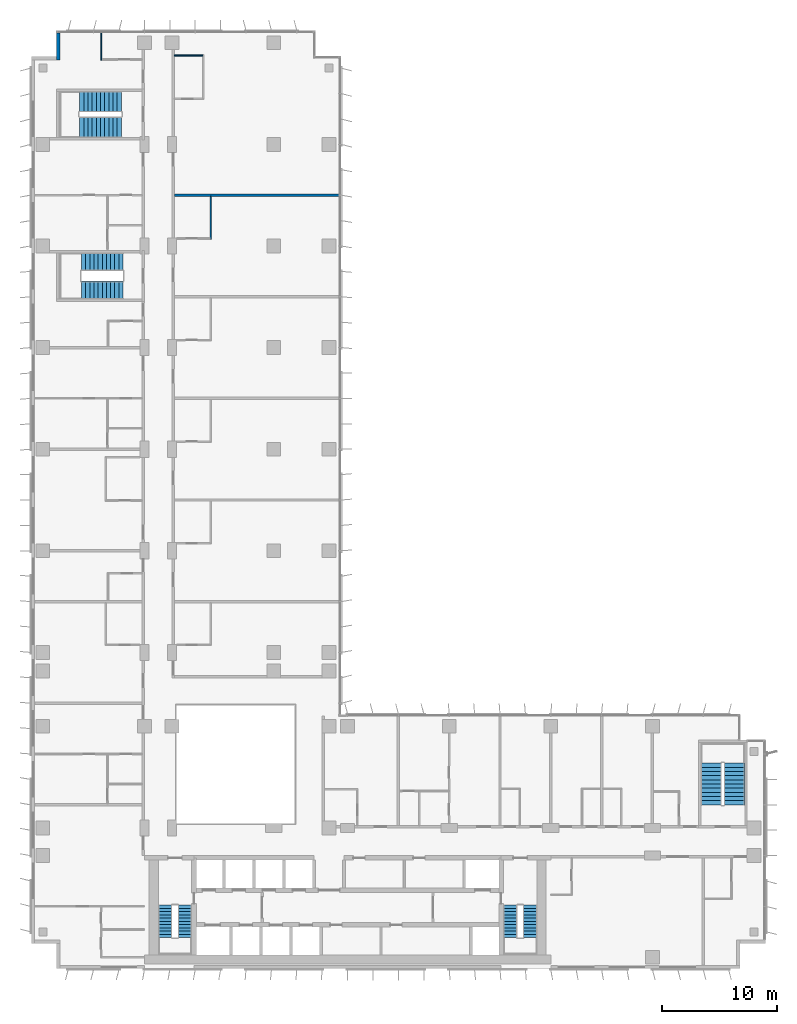
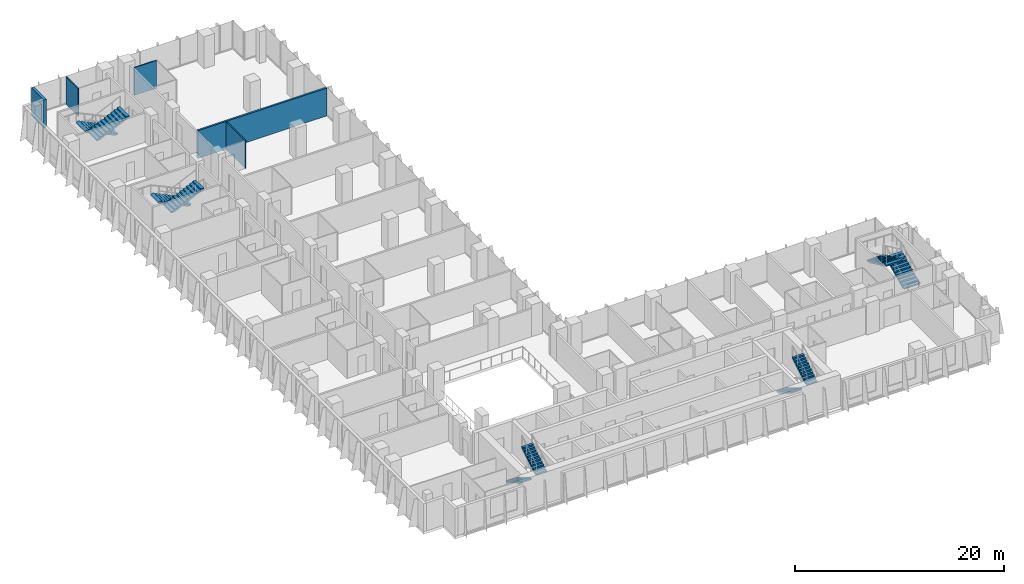
# One storey, part 18 of 22: 10 stair flights, 5 walls, 5 elements without a shape of their own.
"""IFC4 building model written with IfcOpenShell, lengths in metres."""

from ifc_helpers import new_model, si_unit, direction, frame, frame_2d, origin, place, context, subcontext, project, spatial, polyline, rectangle, outline, extrude, material, layer, layer_set, type_object, element, aggregate, save


model = new_model("IFC4")

# Units and contexts
model_context = context("Model", 3, precision=1e-05, world=origin(), true_north=direction((0.0, 1.0)))
body_context = subcontext(model_context, "Body", "Model", "MODEL_VIEW")
ifc_project = project(units=[si_unit("LENGTHUNIT", "METRE"), si_unit("AREAUNIT", "SQUARE_METRE"), si_unit("VOLUMEUNIT", "CUBIC_METRE"), si_unit("PLANEANGLEUNIT", "RADIAN"), si_unit("MASSUNIT", "GRAM", prefix="KILO")], contexts=[model_context])

# Site, building, storey
site_placement = place(None, origin())
site = spatial("IfcSite", under=ifc_project, at=site_placement, CompositionType="ELEMENT")
building_placement = place(site_placement, origin())
building = spatial("IfcBuilding", under=site, at=building_placement, Name="Kemantara Hotel Tower", CompositionType="ELEMENT")
storey_placement = place(building_placement, frame((0.0, 0.0, 149.39990234375)))
storey = spatial("IfcBuildingStorey", under=building, at=storey_placement, Name="L36", CompositionType="ELEMENT", Elevation=149.39990234375)

# Walls
ifc_material_1 = material(Name="Bronze anodised aluminium cladding on insulated steel stud wall", Category="steel")
ifc_layer_1 = layer(ifc_material_1, 0.300048828125)
ifc_layer_set_1 = layer_set([ifc_layer_1], Name="Bronze anodised aluminium cladding on insulated steel stud wall")
wall_type_1 = type_object("IfcWallType", Name="BRONZE METAL-CLAD EXTERNAL WALL 300", PredefinedType="STANDARD", material=ifc_layer_set_1)
wall_1_placement = place(storey_placement, frame((2.35009765625, 81.050048828125, 0.0), z_axis=(0.0, 0.0, 1.0), x_axis=(0.0, -1.0, 0.0)))
element("IfcWall", 1, at=wall_1_placement, inside=storey, type_object=wall_type_1, Name="EXTERNAL WALL L36 T2-R02", PredefinedType="STANDARD", context=body_context, shape_type="SweptSolid", body=[
    extrude(rectangle(XDim=2.35009765625, YDim=0.300048828125, at=frame_2d((1.175048828125, 0.0))), origin(), (0.0, 0.0, 1.0), 3.25),
])
ifc_material_2 = material(Name="Gypsum board partition, steel studs and mineral wool, 200 mm", Category="steel")
ifc_layer_2 = layer(ifc_material_2, 0.199951171875)
ifc_layer_set_2 = layer_set([ifc_layer_2], Name="Gypsum board partition, steel studs and mineral wool, 200 mm")
wall_type_2 = type_object("IfcWallType", Name="GUEST ROOM PARTY WALL 200", PredefinedType="PARTITIONING", material=ifc_layer_set_2)
wall_2_placement = place(storey_placement, frame((12.39990234375, 67.0, 0.0), z_axis=(0.0, 0.0, 1.0), x_axis=(1.0, 0.0, 0.0)))
element("IfcWall", 2, at=wall_2_placement, inside=storey, type_object=wall_type_2, Name="GUEST ROOM PARTY WALL 200 044", PredefinedType="PARTITIONING", context=body_context, shape_type="SweptSolid", body=[
    extrude(rectangle(XDim=14.27001953125, YDim=0.199951171875, at=frame_2d((7.135009765625, 0.0))), origin(), (0.0, 0.0, 1.0), 3.25),
])
ifc_material_3 = material(Name="Gypsum board partition on steel studs, 100 mm", Category="steel")
ifc_layer_3 = layer(ifc_material_3, 0.10009765625)
ifc_layer_set_3 = layer_set([ifc_layer_3], Name="Gypsum board partition on steel studs, 100 mm")
wall_type_3 = type_object("IfcWallType", Name="ROOM PARTITION 100", PredefinedType="PARTITIONING", material=ifc_layer_set_3)
wall_3_placement = place(storey_placement, frame((6.050048828125, 78.699951171875, 0.0), z_axis=(0.0, 0.0, 1.0), x_axis=(0.0, 1.0, 0.0)))
element("IfcWall", 3, at=wall_3_placement, inside=storey, type_object=wall_type_3, Name="ROOM PARTITION 100 063", PredefinedType="PARTITIONING", context=body_context, shape_type="SweptSolid", body=[
    extrude(rectangle(XDim=2.3701171875, YDim=0.10009765625, at=frame_2d((1.18505859375, 0.0))), origin(), (0.0, 0.0, 1.0), 3.25),
])
wall_4_placement = place(storey_placement, frame((15.550048828125, 63.199951171875, 0.0), z_axis=(0.0, 0.0, 1.0), x_axis=(0.0, 1.0, 0.0)))
element("IfcWall", 4, at=wall_4_placement, inside=storey, type_object=wall_type_3, Name="ROOM PARTITION 100 091", PredefinedType="PARTITIONING", context=body_context, shape_type="SweptSolid", body=[
    extrude(rectangle(XDim=3.699951171875, YDim=0.10009765625, at=frame_2d((1.85009765625, 0.0))), origin(), (0.0, 0.0, 1.0), 3.25),
])
wall_5_placement = place(storey_placement, frame((12.39990234375, 79.10009765625, 0.0), z_axis=(0.0, 0.0, 1.0), x_axis=(1.0, 0.0, 0.0)))
element("IfcWall", 5, at=wall_5_placement, inside=storey, type_object=wall_type_3, Name="ROOM PARTITION 100 098", PredefinedType="PARTITIONING", context=body_context, shape_type="SweptSolid", body=[
    extrude(rectangle(XDim=2.4501953125, YDim=0.10009765625, at=frame_2d((1.22509765625, 0.0))), origin(), (0.0, 0.0, 1.0), 3.25),
])

# Stair, stair flights
ifc_material_4 = material(Name="Concrete fc 40 MPa", Category="concrete")
stair_type_1 = type_object("IfcStairType", Name="Stair 1200 wide 22 risers of 168 x 280 mm", PredefinedType="HALF_TURN_STAIR", material=ifc_material_4)
stair_1_placement = place(storey_placement, origin())
stair_1 = element("IfcStair", 6, at=stair_1_placement, inside=storey, type_object=stair_type_1, Name="L36 Exit stair ST1", PredefinedType="HALF_TURN_STAIR")
stair_flight_type_1 = type_object("IfcStairFlightType", Name="Stair flight 1200 wide 168 x 280 mm", PredefinedType="STRAIGHT", material=ifc_material_4)
stair_flight_1_placement = place(storey_placement, frame((11.60009765625, 5.5, 0.0), z_axis=(0.0, 0.0, 1.0), x_axis=(0.0, -1.0, 0.0)))
stair_flight_1 = element("IfcStairFlight", 7, at=stair_flight_1_placement, type_object=stair_flight_type_1, Name="ST1 flight 1", NumberOfRisers=11, NumberOfTreads=10, PredefinedType="STRAIGHT", RiserHeight=0.168181818, TreadLength=0.28, context=body_context, shape_type="SweptSolid", body=[
    extrude(outline(polyline([(0.0, 0.0), (0.0, 0.168212890625), (0.280029296875, 0.168212890625), (0.280029296875, 0.33642578125), (0.56005859375, 0.33642578125), (0.56005859375, 0.504638671875), (0.840087890625, 0.504638671875), (0.840087890625, 0.672607421875), (1.1201171875, 0.672607421875), (1.1201171875, 0.8408203125), (1.39990234375, 0.8408203125), (1.39990234375, 1.009033203125), (1.679931640625, 1.009033203125), (1.679931640625, 1.17724609375), (1.9599609375, 1.17724609375), (1.9599609375, 1.345458984375), (2.239990234375, 1.345458984375), (2.239990234375, 1.513671875), (2.52001953125, 1.513671875), (2.52001953125, 1.681884765625), (2.800048828125, 1.681884765625), (2.800048828125, 1.85009765625), (2.800048828125, 1.5068359375), (0.291015625, 0.0), (0.0, 0.0)])), frame((0.0, 0.60009765625, 0.0), z_axis=(0.0, -1.0, 0.0), x_axis=(1.0, 0.0, 0.0)), (0.0, 0.0, 1.0), 1.199951171875),
])
stair_flight_2_placement = place(storey_placement, frame((13.300048828125, 2.699951171875, 1.85009765625), z_axis=(0.0, 0.0, 1.0), x_axis=(0.0, 1.0, 0.0)))
stair_flight_2 = element("IfcStairFlight", 8, at=stair_flight_2_placement, type_object=stair_flight_type_1, Name="ST1 flight 2", NumberOfRisers=11, NumberOfTreads=10, PredefinedType="STRAIGHT", RiserHeight=0.168181818, TreadLength=0.28, context=body_context, shape_type="SweptSolid", body=[
    extrude(outline(polyline([(0.0, 0.0), (0.0, 0.168212890625), (0.280029296875, 0.168212890625), (0.280029296875, 0.33642578125), (0.56005859375, 0.33642578125), (0.56005859375, 0.504638671875), (0.840087890625, 0.504638671875), (0.840087890625, 0.672607421875), (1.1201171875, 0.672607421875), (1.1201171875, 0.8408203125), (1.39990234375, 0.8408203125), (1.39990234375, 1.009033203125), (1.679931640625, 1.009033203125), (1.679931640625, 1.17724609375), (1.9599609375, 1.17724609375), (1.9599609375, 1.345458984375), (2.239990234375, 1.345458984375), (2.239990234375, 1.513671875), (2.52001953125, 1.513671875), (2.52001953125, 1.681884765625), (2.800048828125, 1.681884765625), (2.800048828125, 1.85009765625), (2.800048828125, 1.5068359375), (0.291015625, 0.0), (0.0, 0.0)])), frame((0.0, 0.60009765625, 0.0), z_axis=(0.0, -1.0, 0.0), x_axis=(1.0, 0.0, 0.0)), (0.0, 0.0, 1.0), 1.199951171875),
])
aggregate(stair_1, [stair_flight_1, stair_flight_2])

stair_2_placement = place(storey_placement, origin())
stair_2 = element("IfcStair", 9, at=stair_2_placement, inside=storey, type_object=stair_type_1, Name="L36 Exit stair ST2", PredefinedType="HALF_TURN_STAIR")
stair_flight_3_placement = place(storey_placement, frame((41.5, 5.5, 0.0), z_axis=(0.0, 0.0, 1.0), x_axis=(0.0, -1.0, 0.0)))
stair_flight_3 = element("IfcStairFlight", 10, at=stair_flight_3_placement, type_object=stair_flight_type_1, Name="ST2 flight 1", NumberOfRisers=11, NumberOfTreads=10, PredefinedType="STRAIGHT", RiserHeight=0.168181818, TreadLength=0.28, context=body_context, shape_type="SweptSolid", body=[
    extrude(outline(polyline([(0.0, 0.0), (0.0, 0.168212890625), (0.280029296875, 0.168212890625), (0.280029296875, 0.33642578125), (0.56005859375, 0.33642578125), (0.56005859375, 0.504638671875), (0.840087890625, 0.504638671875), (0.840087890625, 0.672607421875), (1.1201171875, 0.672607421875), (1.1201171875, 0.8408203125), (1.39990234375, 0.8408203125), (1.39990234375, 1.009033203125), (1.679931640625, 1.009033203125), (1.679931640625, 1.17724609375), (1.9599609375, 1.17724609375), (1.9599609375, 1.345458984375), (2.239990234375, 1.345458984375), (2.239990234375, 1.513671875), (2.52001953125, 1.513671875), (2.52001953125, 1.681884765625), (2.800048828125, 1.681884765625), (2.800048828125, 1.85009765625), (2.800048828125, 1.5068359375), (0.291015625, 0.0), (0.0, 0.0)])), frame((0.0, 0.60009765625, 0.0), z_axis=(0.0, -1.0, 0.0), x_axis=(1.0, 0.0, 0.0)), (0.0, 0.0, 1.0), 1.199951171875),
])
stair_flight_4_placement = place(storey_placement, frame((43.199951171875, 2.699951171875, 1.85009765625), z_axis=(0.0, 0.0, 1.0), x_axis=(0.0, 1.0, 0.0)))
stair_flight_4 = element("IfcStairFlight", 11, at=stair_flight_4_placement, type_object=stair_flight_type_1, Name="ST2 flight 2", NumberOfRisers=11, NumberOfTreads=10, PredefinedType="STRAIGHT", RiserHeight=0.168181818, TreadLength=0.28, context=body_context, shape_type="SweptSolid", body=[
    extrude(outline(polyline([(0.0, 0.0), (0.0, 0.168212890625), (0.280029296875, 0.168212890625), (0.280029296875, 0.33642578125), (0.56005859375, 0.33642578125), (0.56005859375, 0.504638671875), (0.840087890625, 0.504638671875), (0.840087890625, 0.672607421875), (1.1201171875, 0.672607421875), (1.1201171875, 0.8408203125), (1.39990234375, 0.8408203125), (1.39990234375, 1.009033203125), (1.679931640625, 1.009033203125), (1.679931640625, 1.17724609375), (1.9599609375, 1.17724609375), (1.9599609375, 1.345458984375), (2.239990234375, 1.345458984375), (2.239990234375, 1.513671875), (2.52001953125, 1.513671875), (2.52001953125, 1.681884765625), (2.800048828125, 1.681884765625), (2.800048828125, 1.85009765625), (2.800048828125, 1.5068359375), (0.291015625, 0.0), (0.0, 0.0)])), frame((0.0, 0.60009765625, 0.0), z_axis=(0.0, -1.0, 0.0), x_axis=(1.0, 0.0, 0.0)), (0.0, 0.0, 1.0), 1.199951171875),
])
aggregate(stair_2, [stair_flight_3, stair_flight_4])

stair_type_2 = type_object("IfcStairType", Name="Stair 1550 wide 22 risers of 168 x 360 mm", PredefinedType="HALF_TURN_STAIR", material=ifc_material_4)
stair_3_placement = place(storey_placement, origin())
stair_3 = element("IfcStair", 12, at=stair_3_placement, inside=storey, type_object=stair_type_2, Name="L36 Exit stair ST4", PredefinedType="HALF_TURN_STAIR")
stair_flight_type_2 = type_object("IfcStairFlightType", Name="Stair flight 1550 wide 168 x 360 mm", PredefinedType="STRAIGHT", material=ifc_material_4)
stair_flight_5_placement = place(storey_placement, frame((7.949951171875, 61.22509765625, 0.0), z_axis=(0.0, 0.0, 1.0), x_axis=(-1.0, 0.0, 0.0)))
stair_flight_5 = element("IfcStairFlight", 13, at=stair_flight_5_placement, type_object=stair_flight_type_2, Name="ST4 flight 1", NumberOfRisers=11, NumberOfTreads=10, PredefinedType="STRAIGHT", RiserHeight=0.168181818, TreadLength=0.36, context=body_context, shape_type="SweptSolid", body=[
    extrude(outline(polyline([(0.0, 0.0), (0.0, 0.168212890625), (0.360107421875, 0.168212890625), (0.360107421875, 0.33642578125), (0.719970703125, 0.33642578125), (0.719970703125, 0.504638671875), (1.080078125, 0.504638671875), (1.080078125, 0.672607421875), (1.43994140625, 0.672607421875), (1.43994140625, 0.8408203125), (1.800048828125, 0.8408203125), (1.800048828125, 1.009033203125), (2.159912109375, 1.009033203125), (2.159912109375, 1.17724609375), (2.52001953125, 1.17724609375), (2.52001953125, 1.345458984375), (2.8798828125, 1.345458984375), (2.8798828125, 1.513671875), (3.239990234375, 1.513671875), (3.239990234375, 1.681884765625), (3.60009765625, 1.681884765625), (3.60009765625, 1.85009765625), (3.60009765625, 1.516357421875), (0.354248046875, 0.0), (0.0, 0.0)])), frame((0.0, 0.77490234375, 0.0), z_axis=(0.0, -1.0, 0.0), x_axis=(1.0, 0.0, 0.0)), (0.0, 0.0, 1.0), 1.550048828125),
])
stair_flight_6_placement = place(storey_placement, frame((4.35009765625, 58.77490234375, 1.85009765625), z_axis=(0.0, 0.0, 1.0), x_axis=(1.0, 0.0, 0.0)))
stair_flight_6 = element("IfcStairFlight", 14, at=stair_flight_6_placement, type_object=stair_flight_type_2, Name="ST4 flight 2", NumberOfRisers=11, NumberOfTreads=10, PredefinedType="STRAIGHT", RiserHeight=0.168181818, TreadLength=0.36, context=body_context, shape_type="SweptSolid", body=[
    extrude(outline(polyline([(0.0, 0.0), (0.0, 0.168212890625), (0.360107421875, 0.168212890625), (0.360107421875, 0.33642578125), (0.719970703125, 0.33642578125), (0.719970703125, 0.504638671875), (1.080078125, 0.504638671875), (1.080078125, 0.672607421875), (1.43994140625, 0.672607421875), (1.43994140625, 0.8408203125), (1.800048828125, 0.8408203125), (1.800048828125, 1.009033203125), (2.159912109375, 1.009033203125), (2.159912109375, 1.17724609375), (2.52001953125, 1.17724609375), (2.52001953125, 1.345458984375), (2.8798828125, 1.345458984375), (2.8798828125, 1.513671875), (3.239990234375, 1.513671875), (3.239990234375, 1.681884765625), (3.60009765625, 1.681884765625), (3.60009765625, 1.85009765625), (3.60009765625, 1.516357421875), (0.354248046875, 0.0), (0.0, 0.0)])), frame((0.0, 0.77490234375, 0.0), z_axis=(0.0, -1.0, 0.0), x_axis=(1.0, 0.0, 0.0)), (0.0, 0.0, 1.0), 1.550048828125),
])
aggregate(stair_3, [stair_flight_5, stair_flight_6])

stair_type_3 = type_object("IfcStairType", Name="Stair 1800 wide 22 risers of 168 x 360 mm", PredefinedType="HALF_TURN_STAIR", material=ifc_material_4)
stair_4_placement = place(storey_placement, origin())
stair_4 = element("IfcStair", 15, at=stair_4_placement, inside=storey, type_object=stair_type_3, Name="L36 Exit stair ST3", PredefinedType="HALF_TURN_STAIR")
stair_flight_type_3 = type_object("IfcStairFlightType", Name="Stair flight 1800 wide 168 x 360 mm", PredefinedType="STRAIGHT", material=ifc_material_4)
stair_flight_7_placement = place(storey_placement, frame((60.89990234375, 14.199951171875, 0.0), z_axis=(0.0, 0.0, 1.0), x_axis=(0.0, 1.0, 0.0)))
stair_flight_7 = element("IfcStairFlight", 16, at=stair_flight_7_placement, type_object=stair_flight_type_3, Name="ST3 flight 1", NumberOfRisers=11, NumberOfTreads=10, PredefinedType="STRAIGHT", RiserHeight=0.168181818, TreadLength=0.36, context=body_context, shape_type="SweptSolid", body=[
    extrude(outline(polyline([(0.0, 0.0), (0.0, 0.168212890625), (0.360107421875, 0.168212890625), (0.360107421875, 0.33642578125), (0.719970703125, 0.33642578125), (0.719970703125, 0.504638671875), (1.080078125, 0.504638671875), (1.080078125, 0.672607421875), (1.43994140625, 0.672607421875), (1.43994140625, 0.8408203125), (1.800048828125, 0.8408203125), (1.800048828125, 1.009033203125), (2.159912109375, 1.009033203125), (2.159912109375, 1.17724609375), (2.52001953125, 1.17724609375), (2.52001953125, 1.345458984375), (2.8798828125, 1.345458984375), (2.8798828125, 1.513671875), (3.239990234375, 1.513671875), (3.239990234375, 1.681884765625), (3.60009765625, 1.681884765625), (3.60009765625, 1.85009765625), (3.60009765625, 1.516357421875), (0.354248046875, 0.0), (0.0, 0.0)])), frame((0.0, 0.89990234375, 0.0), z_axis=(0.0, -1.0, 0.0), x_axis=(1.0, 0.0, 0.0)), (0.0, 0.0, 1.0), 1.800048828125),
])
stair_flight_8_placement = place(storey_placement, frame((58.89990234375, 17.800048828125, 1.85009765625), z_axis=(0.0, 0.0, 1.0), x_axis=(0.0, -1.0, 0.0)))
stair_flight_8 = element("IfcStairFlight", 17, at=stair_flight_8_placement, type_object=stair_flight_type_3, Name="ST3 flight 2", NumberOfRisers=11, NumberOfTreads=10, PredefinedType="STRAIGHT", RiserHeight=0.168181818, TreadLength=0.36, context=body_context, shape_type="SweptSolid", body=[
    extrude(outline(polyline([(0.0, 0.0), (0.0, 0.168212890625), (0.360107421875, 0.168212890625), (0.360107421875, 0.33642578125), (0.719970703125, 0.33642578125), (0.719970703125, 0.504638671875), (1.080078125, 0.504638671875), (1.080078125, 0.672607421875), (1.43994140625, 0.672607421875), (1.43994140625, 0.8408203125), (1.800048828125, 0.8408203125), (1.800048828125, 1.009033203125), (2.159912109375, 1.009033203125), (2.159912109375, 1.17724609375), (2.52001953125, 1.17724609375), (2.52001953125, 1.345458984375), (2.8798828125, 1.345458984375), (2.8798828125, 1.513671875), (3.239990234375, 1.513671875), (3.239990234375, 1.681884765625), (3.60009765625, 1.681884765625), (3.60009765625, 1.85009765625), (3.60009765625, 1.516357421875), (0.354248046875, 0.0), (0.0, 0.0)])), frame((0.0, 0.89990234375, 0.0), z_axis=(0.0, -1.0, 0.0), x_axis=(1.0, 0.0, 0.0)), (0.0, 0.0, 1.0), 1.800048828125),
])
aggregate(stair_4, [stair_flight_7, stair_flight_8])

stair_5_placement = place(storey_placement, origin())
stair_5 = element("IfcStair", 18, at=stair_5_placement, inside=storey, type_object=stair_type_3, Name="L36 Exit stair ST6", PredefinedType="HALF_TURN_STAIR")
stair_flight_9_placement = place(storey_placement, frame((7.800048828125, 75.10009765625, 0.0), z_axis=(0.0, 0.0, 1.0), x_axis=(-1.0, 0.0, 0.0)))
stair_flight_9 = element("IfcStairFlight", 19, at=stair_flight_9_placement, type_object=stair_flight_type_3, Name="ST6 flight 1", NumberOfRisers=11, NumberOfTreads=10, PredefinedType="STRAIGHT", RiserHeight=0.168181818, TreadLength=0.36, context=body_context, shape_type="SweptSolid", body=[
    extrude(outline(polyline([(0.0, 0.0), (0.0, 0.168212890625), (0.360107421875, 0.168212890625), (0.360107421875, 0.33642578125), (0.719970703125, 0.33642578125), (0.719970703125, 0.504638671875), (1.080078125, 0.504638671875), (1.080078125, 0.672607421875), (1.43994140625, 0.672607421875), (1.43994140625, 0.8408203125), (1.800048828125, 0.8408203125), (1.800048828125, 1.009033203125), (2.159912109375, 1.009033203125), (2.159912109375, 1.17724609375), (2.52001953125, 1.17724609375), (2.52001953125, 1.345458984375), (2.8798828125, 1.345458984375), (2.8798828125, 1.513671875), (3.239990234375, 1.513671875), (3.239990234375, 1.681884765625), (3.60009765625, 1.681884765625), (3.60009765625, 1.85009765625), (3.60009765625, 1.516357421875), (0.354248046875, 0.0), (0.0, 0.0)])), frame((0.0, 0.89990234375, 0.0), z_axis=(0.0, -1.0, 0.0), x_axis=(1.0, 0.0, 0.0)), (0.0, 0.0, 1.0), 1.800048828125),
])
stair_flight_10_placement = place(storey_placement, frame((4.199951171875, 72.89990234375, 1.85009765625), z_axis=(0.0, 0.0, 1.0), x_axis=(1.0, 0.0, 0.0)))
stair_flight_10 = element("IfcStairFlight", 20, at=stair_flight_10_placement, type_object=stair_flight_type_3, Name="ST6 flight 2", NumberOfRisers=11, NumberOfTreads=10, PredefinedType="STRAIGHT", RiserHeight=0.168181818, TreadLength=0.36, context=body_context, shape_type="SweptSolid", body=[
    extrude(outline(polyline([(0.0, 0.0), (0.0, 0.168212890625), (0.360107421875, 0.168212890625), (0.360107421875, 0.33642578125), (0.719970703125, 0.33642578125), (0.719970703125, 0.504638671875), (1.080078125, 0.504638671875), (1.080078125, 0.672607421875), (1.43994140625, 0.672607421875), (1.43994140625, 0.8408203125), (1.800048828125, 0.8408203125), (1.800048828125, 1.009033203125), (2.159912109375, 1.009033203125), (2.159912109375, 1.17724609375), (2.52001953125, 1.17724609375), (2.52001953125, 1.345458984375), (2.8798828125, 1.345458984375), (2.8798828125, 1.513671875), (3.239990234375, 1.513671875), (3.239990234375, 1.681884765625), (3.60009765625, 1.681884765625), (3.60009765625, 1.85009765625), (3.60009765625, 1.516357421875), (0.354248046875, 0.0), (0.0, 0.0)])), frame((0.0, 0.89990234375, 0.0), z_axis=(0.0, -1.0, 0.0), x_axis=(1.0, 0.0, 0.0)), (0.0, 0.0, 1.0), 1.800048828125),
])
aggregate(stair_5, [stair_flight_9, stair_flight_10])

save(model, "model.ifc")
